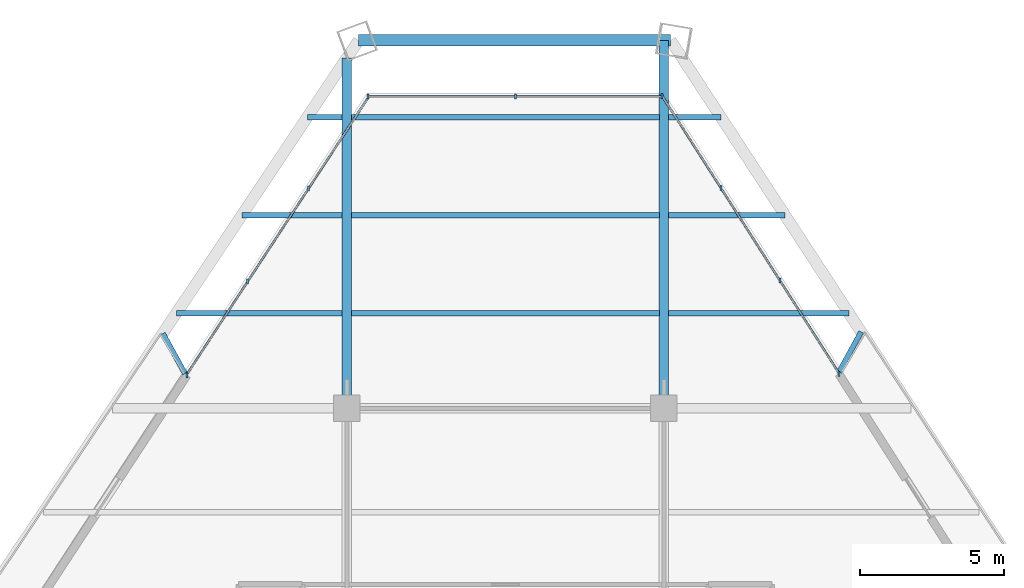
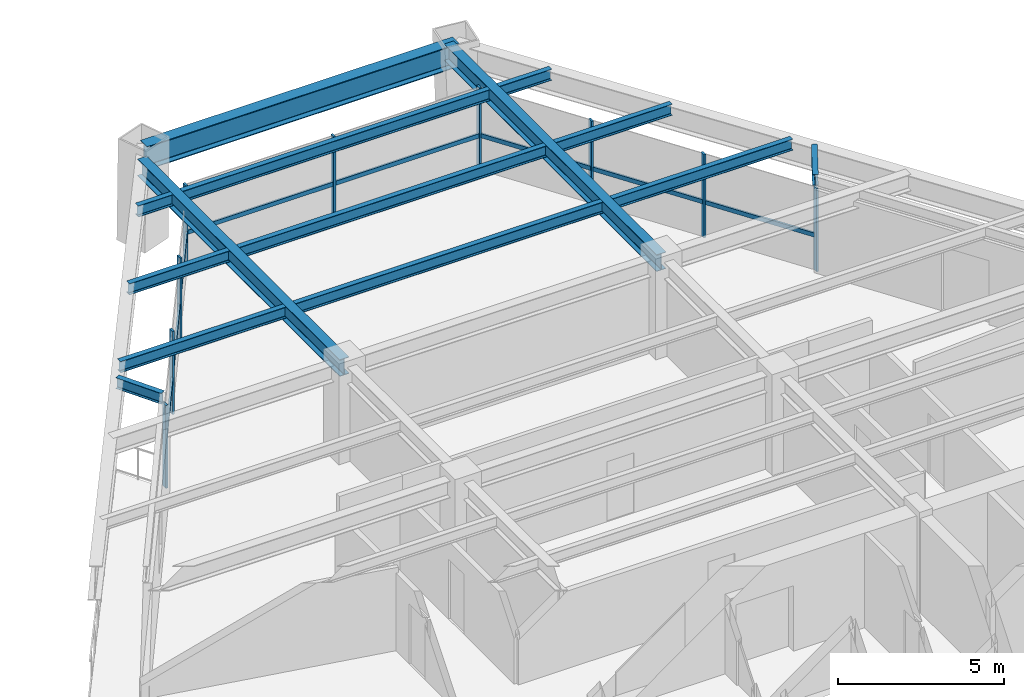
# One storey, part 8 of 14: 18 members, 14 beams, 3 elements without a shape of their own.
"""IFC4 building model written with IfcOpenShell, lengths in metres."""

import ifcopenshell
import ifcopenshell.guid

model = None  # the IFC model being written
_history = None  # IfcOwnerHistory: only IFC2X3 demands one
_inside = {}  # id of a spatial element -> (the spatial element, [elements in it])
_under = {}  # id of a project, library or spatial element -> (it, [spatial elements below it])
_declared = {}  # id of a project -> (the project, [libraries it declares])
_typed = {}  # id of a type object -> (the type object, [elements of that type])
_made_of = {}  # id of a material, layer set ... -> (it, [elements and type objects made of it])


def new_model(schema):
    """Start an empty IFC model of exactly this schema.

    Asked for "IFC4X3", IfcOpenShell would pick the latest addendum, in which some entities
    have other attributes; the version numbers below select the first issue.
    IFC2X3 requires an IfcOwnerHistory on every rooted entity: one is made here for all.
    """
    global model, _history
    if schema == "IFC4X3":
        model = ifcopenshell.file(schema_version=(4, 3, 0, 0))
    else:
        model = ifcopenshell.file(schema=schema)
    _inside.clear()
    _under.clear()
    _declared.clear()
    _typed.clear()
    _made_of.clear()
    _history = None
    if model.schema == "IFC2X3":
        org = make("IfcOrganization", Name="unknown")
        user = make(
            "IfcPersonAndOrganization",
            ThePerson=make("IfcPerson", FamilyName="unknown"),
            TheOrganization=org,
        )
        app = make(
            "IfcApplication",
            ApplicationDeveloper=org,
            Version="unknown",
            ApplicationFullName="unknown",
            ApplicationIdentifier="unknown",
        )
        _history = make(
            "IfcOwnerHistory",
            OwningUser=user,
            OwningApplication=app,
            ChangeAction="ADDED",
            CreationDate=0,
        )
    return model


def make(cls, **values):
    """One entity of the class cls with the attributes given. An attribute that is None is left unset."""
    return model.create_entity(
        cls, **{name: value for name, value in values.items() if value is not None}
    )


def rooted(cls, **values):
    """An entity with a GlobalId (a new one), such as an element, a storey or a relation."""
    return make(cls, GlobalId=ifcopenshell.guid.new(), OwnerHistory=_history, **values)


def si_unit(unit_type, name, prefix=None):
    """IfcSIUnit, for example si_unit("LENGTHUNIT", "METRE", prefix="MILLI")."""
    return make("IfcSIUnit", UnitType=unit_type, Prefix=prefix, Name=name)


def assignment(units):
    """IfcUnitAssignment: the units of a project."""
    return None if units is None else make("IfcUnitAssignment", Units=units)


def point(xyz):
    """IfcCartesianPoint."""
    return None if xyz is None else make("IfcCartesianPoint", Coordinates=xyz)


def direction(xyz):
    """IfcDirection."""
    return None if xyz is None else make("IfcDirection", DirectionRatios=xyz)


def frame(location, z_axis=None, x_axis=None):
    """IfcAxis2Placement3D, a coordinate frame: its origin and axes. An axis left out is left unset."""
    return make(
        "IfcAxis2Placement3D",
        Location=point(location),
        Axis=direction(z_axis),
        RefDirection=direction(x_axis),
    )


def frame_2d(location, x_axis=None):
    """IfcAxis2Placement2D, a coordinate frame in the plane: its origin and x axis."""
    return make(
        "IfcAxis2Placement2D", Location=point(location), RefDirection=direction(x_axis)
    )


def origin():
    """The frame at (0, 0, 0) with its axes left unset."""
    return frame((0.0, 0.0, 0.0))


def origin_2d():
    """The frame at (0, 0) in the plane with its x axis left unset."""
    return frame_2d((0.0, 0.0))


def place(relative_to, where):
    """IfcLocalPlacement: puts the frame where relative to a parent placement (None: the world)."""
    return make(
        "IfcLocalPlacement", PlacementRelTo=relative_to, RelativePlacement=where
    )


def context(
    kind, dimensions, precision=None, world=None, true_north=None, identifier=None
):
    """IfcGeometricRepresentationContext, for example the 3D "Model" context."""
    return make(
        "IfcGeometricRepresentationContext",
        ContextIdentifier=identifier,
        ContextType=kind,
        CoordinateSpaceDimension=dimensions,
        Precision=precision,
        WorldCoordinateSystem=world,
        TrueNorth=true_north,
    )


def subcontext(parent, identifier, kind, view, scale=None):
    """IfcGeometricRepresentationSubContext, for example "Body" below "Model"."""
    return make(
        "IfcGeometricRepresentationSubContext",
        ContextIdentifier=identifier,
        ContextType=kind,
        ParentContext=parent,
        TargetScale=scale,
        TargetView=view,
    )


def project(units=None, contexts=None):
    """IfcProject with its units and contexts."""
    return rooted(
        "IfcProject",
        Name="project",
        RepresentationContexts=contexts,
        UnitsInContext=assignment(units),
    )


def spatial(cls, under=None, at=None, **own):
    """A site, building, storey or space (cls), placed at a placement, below another one or the project."""
    s = rooted(cls, ObjectPlacement=at, **own)
    if under is not None:
        _under.setdefault(under.id(), (under, []))[1].append(s)
    return s


def profile(cls, at=None, kind="AREA", **sizes):
    """A parametric profile (cls). Its sizes go by their IFC names, for example OverallWidth=200.0."""
    return make(cls, ProfileType=kind, Position=at, **sizes)


def rectangle(**sizes):
    """IfcRectangleProfileDef."""
    return profile("IfcRectangleProfileDef", **sizes)


def i_section(**sizes):
    """IfcIShapeProfileDef."""
    return profile("IfcIShapeProfileDef", **sizes)


def extrude(swept, where, along, depth):
    """IfcExtrudedAreaSolid: the profile swept, set in the frame where, extruded along a direction by depth."""
    return make(
        "IfcExtrudedAreaSolid",
        SweptArea=swept,
        Position=where,
        ExtrudedDirection=direction(along),
        Depth=depth,
    )


def shape(context_of_items, identifier, shape_type, items):
    """IfcShapeRepresentation: the items that make up one representation, for example the "Body"."""
    return make(
        "IfcShapeRepresentation",
        ContextOfItems=context_of_items,
        RepresentationIdentifier=identifier,
        RepresentationType=shape_type,
        Items=items,
    )


def source(mapping_origin, context_of_items, identifier, shape_type, items):
    """IfcRepresentationMap: a shape defined once, which mapped items show again and again."""
    return make(
        "IfcRepresentationMap",
        MappingOrigin=mapping_origin,
        MappedRepresentation=shape(context_of_items, identifier, shape_type, items),
    )


def transform(
    local_origin,
    x_axis=None,
    y_axis=None,
    z_axis=None,
    scale=None,
    scale2=None,
    scale3=None,
    uniform=True,
):
    """IfcCartesianTransformationOperator3D, or its non-uniform kind. x_axis, y_axis, z_axis: its Axis1, 2, 3."""
    if uniform:
        return make(
            "IfcCartesianTransformationOperator3D",
            Axis1=direction(x_axis),
            Axis2=direction(y_axis),
            LocalOrigin=point(local_origin),
            Scale=scale,
            Axis3=direction(z_axis),
        )
    return make(
        "IfcCartesianTransformationOperator3DnonUniform",
        Axis1=direction(x_axis),
        Axis2=direction(y_axis),
        LocalOrigin=point(local_origin),
        Scale=scale,
        Axis3=direction(z_axis),
        Scale2=scale2,
        Scale3=scale3,
    )


def mapped(mapping_source, mapping_target):
    """IfcMappedItem: shows the shape of a source again, moved by a transform."""
    return make(
        "IfcMappedItem", MappingSource=mapping_source, MappingTarget=mapping_target
    )


def material(Name=None, Category=None):
    """IfcMaterial."""
    return make("IfcMaterial", Name=Name, Category=Category)


def material_profile(
    of_material, cross_section, Name=None, Category=None, Priority=None
):
    """IfcMaterialProfile: a cross section and its material."""
    return make(
        "IfcMaterialProfile",
        Name=Name,
        Material=of_material,
        Profile=cross_section,
        Priority=Priority,
        Category=Category,
    )


def profile_set(profiles, Name=None, composite=None):
    """IfcMaterialProfileSet."""
    return make(
        "IfcMaterialProfileSet",
        Name=Name,
        MaterialProfiles=profiles,
        CompositeProfile=composite,
    )


def made_of(thing, what):
    """Note that an element or type object is made of a material, layer set ...; save() writes the relation."""
    if what is not None:
        _made_of.setdefault(what.id(), (what, []))[1].append(thing)
    return thing


def type_object(cls, material=None, **own):
    """A type object (cls), such as IfcWallType, which elements share."""
    return made_of(rooted(cls, **own), material)


def element(
    cls,
    number,
    at=None,
    inside=None,
    cuts=None,
    type_object=None,
    material=None,
    context=None,
    identifier="Body",
    shape_type=None,
    held_by="IfcProductDefinitionShape",
    body=None,
    shapes=None,
    **own,
):
    """One element of the class cls, such as IfcWall. Its Tag is "e" and its number.

    at: its placement. inside: the storey or other place that contains it. cuts: it is an
    opening in that element (IfcRelVoidsElement). A single representation is given by context,
    identifier, shape_type and body (its items); several are given by shapes. held_by: the class
    of the entity that holds the representations. save() writes the other relations.
    """
    e = rooted(cls, Tag="e%d" % number, ObjectPlacement=at, **own)
    if body is not None:
        shapes = [shape(context, identifier, shape_type, body)]
    if shapes is not None:
        e.Representation = make(held_by, Representations=shapes)
    if inside is not None:
        _inside.setdefault(inside.id(), (inside, []))[1].append(e)
    if cuts is not None:
        rooted(
            "IfcRelVoidsElement", RelatingBuildingElement=cuts, RelatedOpeningElement=e
        )
    if type_object is not None:
        _typed.setdefault(type_object.id(), (type_object, []))[1].append(e)
    return made_of(e, material)


def aggregate(whole, parts):
    """IfcRelAggregates: a whole, such as a stair, and the parts it consists of."""
    return rooted("IfcRelAggregates", RelatingObject=whole, RelatedObjects=parts)


def save(model, path):
    """Write the relations noted so far, then the file.

    IfcRelAggregates (storeys below a building ...), IfcRelContainedInSpatialStructure (elements
    in a storey), IfcRelDefinesByType, IfcRelAssociatesMaterial and IfcRelDeclares: one each for
    every whole, place, type object, material and project.
    """
    for whole, parts in _under.values():
        aggregate(whole, parts)
    for where, things in _inside.values():
        rooted(
            "IfcRelContainedInSpatialStructure",
            RelatedElements=things,
            RelatingStructure=where,
        )
    for kind, things in _typed.values():
        rooted("IfcRelDefinesByType", RelatedObjects=things, RelatingType=kind)
    for what, things in _made_of.values():
        rooted("IfcRelAssociatesMaterial", RelatedObjects=things, RelatingMaterial=what)
    for by, libraries in _declared.values():
        rooted("IfcRelDeclares", RelatingContext=by, RelatedDefinitions=libraries)
    model.write(path)


model = new_model("IFC4")

# Units and contexts
model_context = context("Model", 3, precision=1e-05, world=origin(), true_north=direction((0.0, 1.0)))
body_context = subcontext(model_context, "Body", "Model", "MODEL_VIEW")
ifc_project = project(units=[si_unit("LENGTHUNIT", "METRE"), si_unit("AREAUNIT", "SQUARE_METRE"), si_unit("VOLUMEUNIT", "CUBIC_METRE"), si_unit("PLANEANGLEUNIT", "RADIAN"), si_unit("MASSUNIT", "GRAM", prefix="KILO")], contexts=[model_context])

# Site, building, storey
site_placement = place(None, origin())
site = spatial("IfcSite", under=ifc_project, at=site_placement, CompositionType="ELEMENT")
building_placement = place(site_placement, origin())
building = spatial("IfcBuilding", under=site, at=building_placement, Name="Varnakhor Terracotta Tower", CompositionType="ELEMENT")
storey_placement = place(building_placement, frame((0.0, 0.0, 133.0)))
storey = spatial("IfcBuildingStorey", under=building, at=storey_placement, Name="L33", CompositionType="ELEMENT", Elevation=133.0)

# Beams
ifc_material_1 = material(Name="Steel S355", Category="steel")
ifc_material_profile_1 = material_profile(ifc_material_1, i_section(OverallWidth=0.179931640625, OverallDepth=0.4130859375, WebThickness=0.009765625, FlangeThickness=0.01611328125, FilletRadius=0.01806640625, at=origin_2d()), Name="W16X50")
ifc_profile_set_1 = profile_set([ifc_material_profile_1], Name="Steel S355")
beam_type_1 = type_object("IfcBeamType", Name="JST-W16X50", PredefinedType="JOIST", material=ifc_profile_set_1)
shared_shape_1 = source(origin(), body_context, "Body", "SweptSolid", [
    extrude(i_section(OverallWidth=0.179931640625, OverallDepth=0.4130859375, WebThickness=0.009765625, FlangeThickness=0.01611328125, FilletRadius=0.01806640625, at=origin_2d()), origin(), (0.0, 0.0, 1.0), 10.68310546875),
])
for number, where, z_axis, x_axis, name in (
    (1, (-5.341552734375, 34.800048828125, 3.263427734375), (1.0, 0.0, 0.0), (0.0, 1.0, 0.0), "L33 Composite Floor Joist 7-2"),
    (2, (-5.341552734375, 38.199951171875, 3.263427734375), (1.0, 0.0, 0.0), (0.0, 1.0, 0.0), "L33 Composite Floor Joist 8-2"),
    (3, (-5.341552734375, 41.60009765625, 3.263427734375), (1.0, 0.0, 0.0), (0.0, 1.0, 0.0), "L33 Composite Floor Joist 9-2"),
):
    element("IfcBeam", number, at=place(storey_placement, frame(where, z_axis=z_axis, x_axis=x_axis)), inside=storey, type_object=beam_type_1, Name=name, PredefinedType="JOIST", context=body_context, shape_type="MappedRepresentation", body=[
        mapped(shared_shape_1, transform((0.0, 0.0, 0.0), scale=1.0)),
    ])
ifc_material_profile_2 = material_profile(ifc_material_1, i_section(OverallWidth=0.39990234375, OverallDepth=0.85498046875, WebThickness=0.01806640625, FlangeThickness=0.029052734375, FilletRadius=0.01806640625, at=origin_2d()), Name="W33X201")
ifc_profile_set_2 = profile_set([ifc_material_profile_2], Name="Steel S355")
beam_type_2 = type_object("IfcBeamType", Name="BM-W33X201", PredefinedType="BEAM", material=ifc_profile_set_2)
shared_shape_2 = source(origin(), body_context, "Body", "SweptSolid", [
    extrude(i_section(OverallWidth=0.39990234375, OverallDepth=0.85498046875, WebThickness=0.01806640625, FlangeThickness=0.029052734375, FilletRadius=0.01806640625, at=origin_2d()), origin(), (0.0, 0.0, 1.0), 10.82470703125),
])
beam_1_placement = place(storey_placement, frame((5.735107421875, 44.266357421875, 3.04248046875), z_axis=(-1.0, 0.0, 0.0), x_axis=(0.0, -1.0, 0.0)))
element("IfcBeam", 4, at=beam_1_placement, inside=storey, type_object=beam_type_2, Name="L33 Perimeter Spandrel 5", PredefinedType="BEAM", context=body_context, shape_type="MappedRepresentation", body=[
    mapped(shared_shape_2, transform((0.0, 0.0, 0.0), scale=1.0)),
])
ifc_material_profile_3 = material_profile(ifc_material_1, i_section(OverallWidth=0.324951171875, OverallDepth=0.615966796875, WebThickness=0.013916015625, FlangeThickness=0.02197265625, FilletRadius=0.01806640625, at=origin_2d()), Name="W24X117")
ifc_profile_set_3 = profile_set([ifc_material_profile_3], Name="Steel S355")
beam_type_3 = type_object("IfcBeamType", Name="BM-W24X117", PredefinedType="BEAM", material=ifc_profile_set_3)
shared_shape_3 = source(origin(), body_context, "Body", "SweptSolid", [
    extrude(i_section(OverallWidth=0.324951171875, OverallDepth=0.615966796875, WebThickness=0.013916015625, FlangeThickness=0.02197265625, FilletRadius=0.01806640625, at=origin_2d()), origin(), (0.0, 0.0, 1.0), 12.15185546875),
])
beam_2_placement = place(storey_placement, frame((-5.5, 31.5, 3.162109375), z_axis=(0.0, 1.0, 0.0), x_axis=(-1.0, 0.0, 0.0)))
element("IfcBeam", 5, at=beam_2_placement, inside=storey, type_object=beam_type_3, Name="L33 Primary Girder NS3-W", PredefinedType="BEAM", context=body_context, shape_type="MappedRepresentation", body=[
    mapped(shared_shape_3, transform((0.0, 0.0, 0.0), scale=1.0)),
])
shared_shape_4 = source(origin(), body_context, "Body", "SweptSolid", [
    extrude(i_section(OverallWidth=0.324951171875, OverallDepth=0.615966796875, WebThickness=0.013916015625, FlangeThickness=0.02197265625, FilletRadius=0.01806640625, at=origin_2d()), origin(), (0.0, 0.0, 1.0), 12.766357421875),
])
beam_3_placement = place(storey_placement, frame((5.5, 31.5, 3.162109375), z_axis=(0.0, 1.0, 0.0), x_axis=(-1.0, 0.0, 0.0)))
element("IfcBeam", 6, at=beam_3_placement, inside=storey, type_object=beam_type_3, Name="L33 Primary Girder NS3-E", PredefinedType="BEAM", context=body_context, shape_type="MappedRepresentation", body=[
    mapped(shared_shape_4, transform((0.0, 0.0, 0.0), scale=1.0)),
])
shared_shape_5 = source(origin(), body_context, "Body", "SweptSolid", [
    extrude(i_section(OverallWidth=0.179931640625, OverallDepth=0.4130859375, WebThickness=0.009765625, FlangeThickness=0.01611328125, FilletRadius=0.01806640625, at=origin_2d()), origin(), (0.0, 0.0, 1.0), 5.755126953125),
])
beam_4_placement = place(storey_placement, frame((-11.41357421875, 34.800048828125, 3.263427734375), z_axis=(1.0, 0.0, 0.0), x_axis=(0.0, 1.0, 0.0)))
element("IfcBeam", 7, at=beam_4_placement, inside=storey, type_object=beam_type_1, Name="L33 Composite Floor Joist 7-1", PredefinedType="JOIST", context=body_context, shape_type="MappedRepresentation", body=[
    mapped(shared_shape_5, transform((0.0, 0.0, 0.0), scale=1.0)),
])
shared_shape_6 = source(origin(), body_context, "Body", "SweptSolid", [
    extrude(i_section(OverallWidth=0.179931640625, OverallDepth=0.4130859375, WebThickness=0.009765625, FlangeThickness=0.01611328125, FilletRadius=0.01806640625, at=origin_2d()), origin(), (0.0, 0.0, 1.0), 6.2626953125),
])
beam_5_placement = place(storey_placement, frame((5.658447265625, 34.800048828125, 3.263427734375), z_axis=(1.0, 0.0, 0.0), x_axis=(0.0, 1.0, 0.0)))
element("IfcBeam", 8, at=beam_5_placement, inside=storey, type_object=beam_type_1, Name="L33 Composite Floor Joist 7-3", PredefinedType="JOIST", context=body_context, shape_type="MappedRepresentation", body=[
    mapped(shared_shape_6, transform((0.0, 0.0, 0.0), scale=1.0)),
])
shared_shape_7 = source(origin(), body_context, "Body", "SweptSolid", [
    extrude(i_section(OverallWidth=0.179931640625, OverallDepth=0.4130859375, WebThickness=0.009765625, FlangeThickness=0.01611328125, FilletRadius=0.01806640625, at=origin_2d()), origin(), (0.0, 0.0, 1.0), 3.483642578125),
])
beam_6_placement = place(storey_placement, frame((-9.14208984375, 38.199951171875, 3.263427734375), z_axis=(1.0, 0.0, 0.0), x_axis=(0.0, 1.0, 0.0)))
element("IfcBeam", 9, at=beam_6_placement, inside=storey, type_object=beam_type_1, Name="L33 Composite Floor Joist 8-1", PredefinedType="JOIST", context=body_context, shape_type="MappedRepresentation", body=[
    mapped(shared_shape_7, transform((0.0, 0.0, 0.0), scale=1.0)),
])
shared_shape_8 = source(origin(), body_context, "Body", "SweptSolid", [
    extrude(i_section(OverallWidth=0.179931640625, OverallDepth=0.4130859375, WebThickness=0.009765625, FlangeThickness=0.01611328125, FilletRadius=0.01806640625, at=origin_2d()), origin(), (0.0, 0.0, 1.0), 4.040771484375),
])
beam_7_placement = place(storey_placement, frame((5.658447265625, 38.199951171875, 3.263427734375), z_axis=(1.0, 0.0, 0.0), x_axis=(0.0, 1.0, 0.0)))
element("IfcBeam", 10, at=beam_7_placement, inside=storey, type_object=beam_type_1, Name="L33 Composite Floor Joist 8-3", PredefinedType="JOIST", context=body_context, shape_type="MappedRepresentation", body=[
    mapped(shared_shape_8, transform((0.0, 0.0, 0.0), scale=1.0)),
])
shared_shape_9 = source(origin(), body_context, "Body", "SweptSolid", [
    extrude(i_section(OverallWidth=0.179931640625, OverallDepth=0.4130859375, WebThickness=0.009765625, FlangeThickness=0.01611328125, FilletRadius=0.01806640625, at=origin_2d()), origin(), (0.0, 0.0, 1.0), 1.212158203125),
])
beam_8_placement = place(storey_placement, frame((-6.87060546875, 41.60009765625, 3.263427734375), z_axis=(1.0, 0.0, 0.0), x_axis=(0.0, 1.0, 0.0)))
element("IfcBeam", 11, at=beam_8_placement, inside=storey, type_object=beam_type_1, Name="L33 Composite Floor Joist 9-1", PredefinedType="JOIST", context=body_context, shape_type="MappedRepresentation", body=[
    mapped(shared_shape_9, transform((0.0, 0.0, 0.0), scale=1.0)),
])
shared_shape_10 = source(origin(), body_context, "Body", "SweptSolid", [
    extrude(i_section(OverallWidth=0.179931640625, OverallDepth=0.4130859375, WebThickness=0.009765625, FlangeThickness=0.01611328125, FilletRadius=0.01806640625, at=origin_2d()), origin(), (0.0, 0.0, 1.0), 1.819091796875),
])
beam_9_placement = place(storey_placement, frame((5.658447265625, 41.60009765625, 3.263427734375), z_axis=(1.0, 0.0, 0.0), x_axis=(0.0, 1.0, 0.0)))
element("IfcBeam", 12, at=beam_9_placement, inside=storey, type_object=beam_type_1, Name="L33 Composite Floor Joist 9-3", PredefinedType="JOIST", context=body_context, shape_type="MappedRepresentation", body=[
    mapped(shared_shape_10, transform((0.0, 0.0, 0.0), scale=1.0)),
])

# Curtain wall, members
ifc_material_2 = material(Name="Anodised Aluminium Curtain Wall System", Category="aluminium")
curtain_wall_type = type_object("IfcCurtainWallType", Name="CW-SYS-MID-OFFICE", PredefinedType="NOTDEFINED", material=ifc_material_2)
curtain_wall_1_placement = place(storey_placement, origin())
curtain_wall_1 = element("IfcCurtainWall", 13, at=curtain_wall_1_placement, inside=storey, type_object=curtain_wall_type, Name="L33 W Facet Curtain Wall 2", PredefinedType="NOTDEFINED")
ifc_material_3 = material(Name="Anodised Aluminium 6063-T6", Category="aluminium")
ifc_material_profile_4 = material_profile(ifc_material_3, rectangle(XDim=0.070068359375, YDim=0.175048828125, at=origin_2d()), Name="ALU MULLION 70x175")
ifc_profile_set_4 = profile_set([ifc_material_profile_4], Name="Anodised Aluminium 6063-T6")
member_type_1 = type_object("IfcMemberType", Name="CWM-03", PredefinedType="MULLION", material=ifc_profile_set_4)
shared_shape_11 = source(origin(), body_context, "Body", "SweptSolid", [
    extrude(rectangle(XDim=0.070068359375, YDim=0.175048828125, at=origin_2d()), origin(), (0.0, 0.0, 1.0), 3.050048828125),
])
member_1_placement = place(storey_placement, frame((-11.046630859375, 32.682373046875, 0.0), z_axis=(0.0, 0.0, 1.0), x_axis=(1.0, 0.0, 0.0)))
member_1 = element("IfcMember", 14, at=member_1_placement, type_object=member_type_1, Name="L33 W Facet Curtain Wall 2 Mullion 1", PredefinedType="MULLION", context=body_context, shape_type="MappedRepresentation", body=[
    mapped(shared_shape_11, transform((0.0, 0.0, 0.0), scale=1.0)),
])
member_2_placement = place(storey_placement, frame((-8.937255859375, 35.902587890625, 0.0), z_axis=(0.0, 0.0, 1.0), x_axis=(1.0, 0.0, 0.0)))
member_2 = element("IfcMember", 15, at=member_2_placement, type_object=member_type_1, Name="L33 W Facet Curtain Wall 2 Mullion 2", PredefinedType="MULLION", context=body_context, shape_type="MappedRepresentation", body=[
    mapped(shared_shape_11, transform((0.0, 0.0, 0.0), scale=1.0)),
])
member_3_placement = place(storey_placement, frame((-6.82763671875, 39.123046875, 0.0), z_axis=(0.0, 0.0, 1.0), x_axis=(1.0, 0.0, 0.0)))
member_3 = element("IfcMember", 16, at=member_3_placement, type_object=member_type_1, Name="L33 W Facet Curtain Wall 2 Mullion 3", PredefinedType="MULLION", context=body_context, shape_type="MappedRepresentation", body=[
    mapped(shared_shape_11, transform((0.0, 0.0, 0.0), scale=1.0)),
])
member_4_placement = place(storey_placement, frame((-11.04638671875, 32.646240234375, 0.0), z_axis=(0.0, 0.0, 1.0), x_axis=(1.0, 0.0, 0.0)))
member_4 = element("IfcMember", 17, at=member_4_placement, type_object=member_type_1, Name="L33 W Loggia Jamb Closure Mullion 2", PredefinedType="MULLION", context=body_context, shape_type="MappedRepresentation", body=[
    mapped(shared_shape_11, transform((0.0, 0.0, 0.0), scale=1.0)),
])

curtain_wall_2_placement = place(storey_placement, origin())
curtain_wall_2 = element("IfcCurtainWall", 18, at=curtain_wall_2_placement, inside=storey, type_object=curtain_wall_type, Name="L33 Facet Curtain Wall 2", PredefinedType="NOTDEFINED")
member_5_placement = place(storey_placement, frame((-4.772216796875, 42.314208984375, 0.0), z_axis=(0.0, 0.0, 1.0), x_axis=(1.0, 0.0, 0.0)))
member_5 = element("IfcMember", 19, at=member_5_placement, type_object=member_type_1, Name="L33 Facet Curtain Wall 2 Mullion 1", PredefinedType="MULLION", context=body_context, shape_type="MappedRepresentation", body=[
    mapped(shared_shape_11, transform((0.0, 0.0, 0.0), scale=1.0)),
])
member_6_placement = place(storey_placement, frame((0.3583984375, 42.314208984375, 0.0), z_axis=(0.0, 0.0, 1.0), x_axis=(1.0, 0.0, 0.0)))
member_6 = element("IfcMember", 20, at=member_6_placement, type_object=member_type_1, Name="L33 Facet Curtain Wall 2 Mullion 2", PredefinedType="MULLION", context=body_context, shape_type="MappedRepresentation", body=[
    mapped(shared_shape_11, transform((0.0, 0.0, 0.0), scale=1.0)),
])

curtain_wall_3_placement = place(storey_placement, origin())
curtain_wall_3 = element("IfcCurtainWall", 21, at=curtain_wall_3_placement, inside=storey, type_object=curtain_wall_type, Name="L33 E Facet Curtain Wall 1", PredefinedType="NOTDEFINED")
member_7_placement = place(storey_placement, frame((5.43408203125, 42.344482421875, 0.0), z_axis=(0.0, 0.0, 1.0), x_axis=(1.0, 0.0, 0.0)))
member_7 = element("IfcMember", 22, at=member_7_placement, type_object=member_type_1, Name="L33 E Facet Curtain Wall 1 Mullion 1", PredefinedType="MULLION", context=body_context, shape_type="MappedRepresentation", body=[
    mapped(shared_shape_11, transform((0.0, 0.0, 0.0), scale=1.0)),
])
member_8_placement = place(storey_placement, frame((7.478271484375, 39.14111328125, 0.0), z_axis=(0.0, 0.0, 1.0), x_axis=(1.0, 0.0, 0.0)))
member_8 = element("IfcMember", 23, at=member_8_placement, type_object=member_type_1, Name="L33 E Facet Curtain Wall 1 Mullion 2", PredefinedType="MULLION", context=body_context, shape_type="MappedRepresentation", body=[
    mapped(shared_shape_11, transform((0.0, 0.0, 0.0), scale=1.0)),
])
member_9_placement = place(storey_placement, frame((9.522216796875, 35.93798828125, 0.0), z_axis=(0.0, 0.0, 1.0), x_axis=(1.0, 0.0, 0.0)))
member_9 = element("IfcMember", 24, at=member_9_placement, type_object=member_type_1, Name="L33 E Facet Curtain Wall 1 Mullion 3", PredefinedType="MULLION", context=body_context, shape_type="MappedRepresentation", body=[
    mapped(shared_shape_11, transform((0.0, 0.0, 0.0), scale=1.0)),
])
member_10_placement = place(storey_placement, frame((11.565673828125, 32.698974609375, 0.0), z_axis=(0.0, 0.0, 1.0), x_axis=(1.0, 0.0, 0.0)))
member_10 = element("IfcMember", 25, at=member_10_placement, type_object=member_type_1, Name="L33 E Loggia Jamb Closure Mullion 1", PredefinedType="MULLION", context=body_context, shape_type="MappedRepresentation", body=[
    mapped(shared_shape_11, transform((0.0, 0.0, 0.0), scale=1.0)),
])

# Member
ifc_material_profile_5 = material_profile(ifc_material_3, rectangle(XDim=0.070068359375, YDim=0.155029296875, at=origin_2d()), Name="ALU TRANSOM 70x155")
ifc_profile_set_5 = profile_set([ifc_material_profile_5], Name="Anodised Aluminium 6063-T6")
member_type_2 = type_object("IfcMemberType", Name="CWT-03", PredefinedType="USERDEFINED", material=ifc_profile_set_5)
shared_shape_12 = source(origin(), body_context, "Body", "SweptSolid", [
    extrude(rectangle(XDim=0.070068359375, YDim=0.155029296875, at=origin_2d()), origin(), (0.0, 0.0, 1.0), 3.849853515625),
])
member_11_placement = place(storey_placement, frame((-8.937255859375, 35.902587890625, 1.281005859375), z_axis=(0.547965057118, 0.836501223058, 0.0), x_axis=(-0.836501223058, 0.547965057118, 0.0)))
member_11 = element("IfcMember", 26, at=member_11_placement, type_object=member_type_2, Name="L33 W Facet Curtain Wall 2 Transom 2", ObjectType="TRANSOM", PredefinedType="USERDEFINED", context=body_context, shape_type="MappedRepresentation", body=[
    mapped(shared_shape_12, transform((0.0, 0.0, 0.0), scale=1.0)),
])

shared_shape_13 = source(origin(), body_context, "Body", "SweptSolid", [
    extrude(rectangle(XDim=0.070068359375, YDim=0.155029296875, at=origin_2d()), origin(), (0.0, 0.0, 1.0), 3.849609375),
])
member_12_placement = place(storey_placement, frame((-11.046630859375, 32.682373046875, 1.281005859375), z_axis=(0.547949749894, 0.836511250128, 0.0), x_axis=(-0.836511250128, 0.547949749894, 0.0)))
member_12 = element("IfcMember", 27, at=member_12_placement, type_object=member_type_2, Name="L33 W Facet Curtain Wall 2 Transom 1", ObjectType="TRANSOM", PredefinedType="USERDEFINED", context=body_context, shape_type="MappedRepresentation", body=[
    mapped(shared_shape_13, transform((0.0, 0.0, 0.0), scale=1.0)),
])

member_13_placement = place(storey_placement, frame((-6.82763671875, 39.123046875, 1.281005859375), z_axis=(0.547949749894, 0.836511250128, 0.0), x_axis=(-0.836511250128, 0.547949749894, 0.0)))
member_13 = element("IfcMember", 28, at=member_13_placement, type_object=member_type_2, Name="L33 W Facet Curtain Wall 2 Transom 3", ObjectType="TRANSOM", PredefinedType="USERDEFINED", context=body_context, shape_type="MappedRepresentation", body=[
    mapped(shared_shape_13, transform((0.0, 0.0, 0.0), scale=1.0)),
])

aggregate(curtain_wall_1, [member_1, member_12, member_2, member_11, member_3, member_13, member_4])

shared_shape_14 = source(origin(), body_context, "Body", "SweptSolid", [
    extrude(rectangle(XDim=0.070068359375, YDim=0.155029296875, at=origin_2d()), origin(), (0.0, 0.0, 1.0), 5.130615234375),
])
member_14_placement = place(storey_placement, frame((-4.772216796875, 42.314208984375, 1.281005859375), z_axis=(1.0, 0.0, 0.0), x_axis=(0.0, 1.0, 0.0)))
member_14 = element("IfcMember", 29, at=member_14_placement, type_object=member_type_2, Name="L33 Facet Curtain Wall 2 Transom 1", ObjectType="TRANSOM", PredefinedType="USERDEFINED", context=body_context, shape_type="MappedRepresentation", body=[
    mapped(shared_shape_14, transform((0.0, 0.0, 0.0), scale=1.0)),
])

member_15_placement = place(storey_placement, frame((0.3583984375, 42.314208984375, 1.281005859375), z_axis=(1.0, 0.0, 0.0), x_axis=(0.0, 1.0, 0.0)))
member_15 = element("IfcMember", 30, at=member_15_placement, type_object=member_type_2, Name="L33 Facet Curtain Wall 2 Transom 2", ObjectType="TRANSOM", PredefinedType="USERDEFINED", context=body_context, shape_type="MappedRepresentation", body=[
    mapped(shared_shape_14, transform((0.0, 0.0, 0.0), scale=1.0)),
])

aggregate(curtain_wall_2, [member_5, member_14, member_6, member_15])

shared_shape_15 = source(origin(), body_context, "Body", "SweptSolid", [
    extrude(rectangle(XDim=0.070068359375, YDim=0.155029296875, at=origin_2d()), origin(), (0.0, 0.0, 1.0), 3.800048828125),
])
member_16_placement = place(storey_placement, frame((5.43408203125, 42.344482421875, 1.281005859375), z_axis=(0.537939296051, -0.842983578585, 0.0), x_axis=(0.842983578585, 0.537939296051, 0.0)))
member_16 = element("IfcMember", 31, at=member_16_placement, type_object=member_type_2, Name="L33 E Facet Curtain Wall 1 Transom 1", ObjectType="TRANSOM", PredefinedType="USERDEFINED", context=body_context, shape_type="MappedRepresentation", body=[
    mapped(shared_shape_15, transform((0.0, 0.0, 0.0), scale=1.0)),
])

shared_shape_16 = source(origin(), body_context, "Body", "SweptSolid", [
    extrude(rectangle(XDim=0.070068359375, YDim=0.155029296875, at=origin_2d()), origin(), (0.0, 0.0, 1.0), 3.7998046875),
])
member_17_placement = place(storey_placement, frame((7.478271484375, 39.14111328125, 1.281005859375), z_axis=(0.537922773564, -0.842994121973, 0.0), x_axis=(0.842994121973, 0.537922773564, 0.0)))
member_17 = element("IfcMember", 32, at=member_17_placement, type_object=member_type_2, Name="L33 E Facet Curtain Wall 1 Transom 2", ObjectType="TRANSOM", PredefinedType="USERDEFINED", context=body_context, shape_type="MappedRepresentation", body=[
    mapped(shared_shape_16, transform((0.0, 0.0, 0.0), scale=1.0)),
])

shared_shape_17 = source(origin(), body_context, "Body", "SweptSolid", [
    extrude(rectangle(XDim=0.070068359375, YDim=0.155029296875, at=origin_2d()), origin(), (0.0, 0.0, 1.0), 3.799560546875),
])
member_18_placement = place(storey_placement, frame((9.522216796875, 35.93798828125, 1.281005859375), z_axis=(0.537997569675, -0.842946389175, 0.0), x_axis=(0.842946389175, 0.537997569675, 0.0)))
member_18 = element("IfcMember", 33, at=member_18_placement, type_object=member_type_2, Name="L33 E Facet Curtain Wall 1 Transom 3", ObjectType="TRANSOM", PredefinedType="USERDEFINED", context=body_context, shape_type="MappedRepresentation", body=[
    mapped(shared_shape_17, transform((0.0, 0.0, 0.0), scale=1.0)),
])

aggregate(curtain_wall_3, [member_7, member_16, member_8, member_17, member_9, member_18, member_10])

# Beams
ifc_material_profile_6 = material_profile(ifc_material_1, i_section(OverallWidth=0.179931640625, OverallDepth=0.39990234375, WebThickness=0.008544921875, FlangeThickness=0.013427734375, FilletRadius=0.01806640625, at=origin_2d()), Name="IPE400")
ifc_profile_set_6 = profile_set([ifc_material_profile_6], Name="Steel S355")
beam_type_4 = type_object("IfcBeamType", Name="JST-IPE400", PredefinedType="JOIST", material=ifc_profile_set_6)
shared_shape_18 = source(origin(), body_context, "Body", "SweptSolid", [
    extrude(i_section(OverallWidth=0.179931640625, OverallDepth=0.39990234375, WebThickness=0.008544921875, FlangeThickness=0.013427734375, FilletRadius=0.01806640625, at=origin_2d()), origin(), (0.0, 0.0, 1.0), 1.595703125),
])
beam_10_placement = place(storey_placement, frame((-11.110595703125, 32.703369140625, 3.27001953125), z_axis=(-0.482535294951, 0.875876526188, 0.0), x_axis=(-0.875876526188, -0.482535294951, 0.0)))
element("IfcBeam", 34, at=beam_10_placement, inside=storey, type_object=beam_type_4, Name="L34 W Loggia Tie Beam 2", PredefinedType="JOIST", context=body_context, shape_type="MappedRepresentation", body=[
    mapped(shared_shape_18, transform((0.0, 0.0, 0.0), scale=1.0)),
])
shared_shape_19 = source(origin(), body_context, "Body", "SweptSolid", [
    extrude(i_section(OverallWidth=0.179931640625, OverallDepth=0.39990234375, WebThickness=0.008544921875, FlangeThickness=0.013427734375, FilletRadius=0.01806640625, at=origin_2d()), origin(), (0.0, 0.0, 1.0), 1.596435546875),
])
beam_11_placement = place(storey_placement, frame((11.57421875, 32.75634765625, 3.27001953125), z_axis=(0.480779516608, 0.876841522973, 0.0), x_axis=(-0.876841522973, 0.480779516608, 0.0)))
element("IfcBeam", 35, at=beam_11_placement, inside=storey, type_object=beam_type_4, Name="L34 E Loggia Tie Beam 1", PredefinedType="JOIST", context=body_context, shape_type="MappedRepresentation", body=[
    mapped(shared_shape_19, transform((0.0, 0.0, 0.0), scale=1.0)),
])

save(model, "model.ifc")
